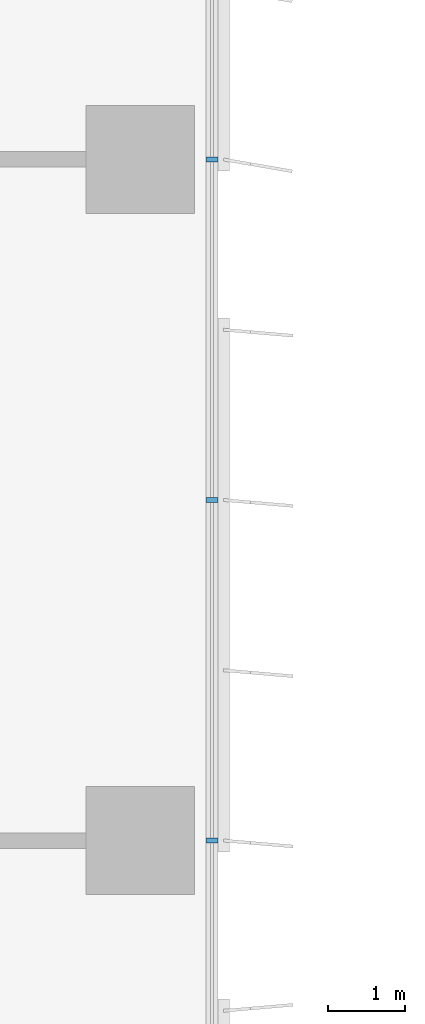
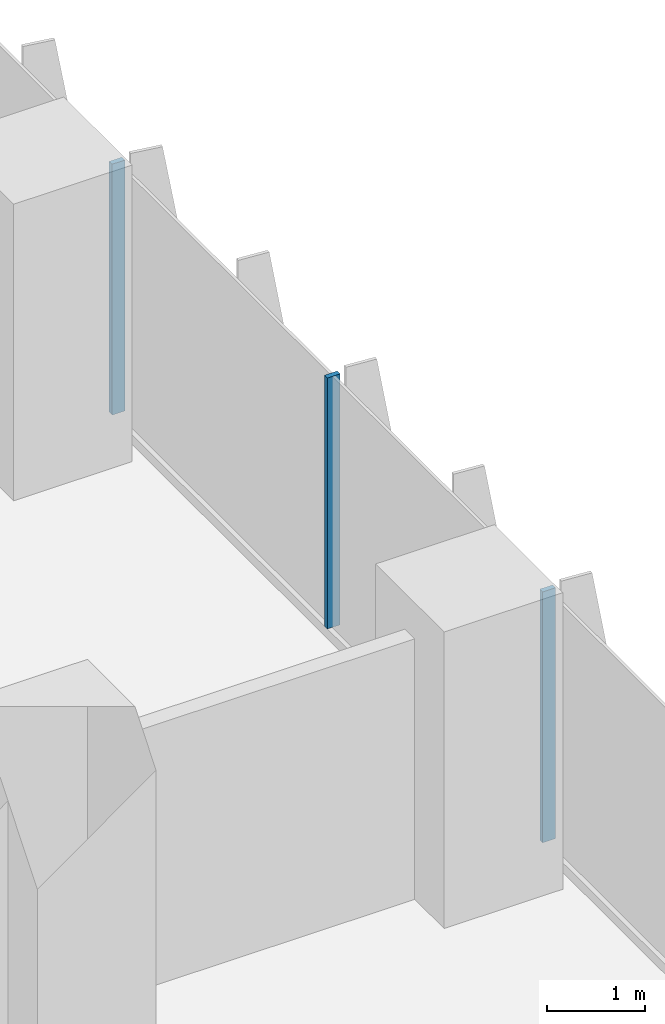
# One storey, part 7 of 24: 3 members, 1 element without a shape of its own.
"""IFC4 building model written with IfcOpenShell, lengths in metres."""

from ifc_helpers import new_model, si_unit, direction, frame, origin, origin_2d, place, context, subcontext, project, spatial, rectangle, extrude, source, transform, mapped, material, material_profile, profile_set, type_object, element, aggregate, save


model = new_model("IFC4")

# Units and contexts
model_context = context("Model", 3, precision=1e-05, world=origin(), true_north=direction((0.0, 1.0)))
body_context = subcontext(model_context, "Body", "Model", "MODEL_VIEW")
ifc_project = project(units=[si_unit("LENGTHUNIT", "METRE"), si_unit("AREAUNIT", "SQUARE_METRE"), si_unit("VOLUMEUNIT", "CUBIC_METRE"), si_unit("PLANEANGLEUNIT", "RADIAN"), si_unit("MASSUNIT", "GRAM", prefix="KILO")], contexts=[model_context])

# Site, building, storey
site_placement = place(None, origin())
site = spatial("IfcSite", under=ifc_project, at=site_placement, CompositionType="ELEMENT")
building_placement = place(site_placement, origin())
building = spatial("IfcBuilding", under=site, at=building_placement, Name="Kemantara Hotel Tower", CompositionType="ELEMENT")
storey_placement = place(building_placement, frame((0.0, 0.0, 79.699951171875)))
storey = spatial("IfcBuildingStorey", under=building, at=storey_placement, Name="L18", CompositionType="ELEMENT", Elevation=79.699951171875)

# Curtain wall, members
ifc_material_1 = material(Name="Low-E tinted double insulated glass 36 mm", Category="glass")
curtain_wall_type = type_object("IfcCurtainWallType", Name="TOWER CURTAIN WALL, FRONT FACES", PredefinedType="USERDEFINED", material=ifc_material_1)
curtain_wall_placement = place(storey_placement, origin())
curtain_wall = element("IfcCurtainWall", 1, at=curtain_wall_placement, inside=storey, type_object=curtain_wall_type, Name="CW4 L18 T1-R08-1", ObjectType="TOWER CURTAIN WALL, FRONT FACES", PredefinedType="USERDEFINED")
ifc_material_2 = material(Name="Aluminium 6063-T6 bronze anodised", Category="aluminium")
ifc_material_profile = material_profile(ifc_material_2, rectangle(XDim=0.14990234375, YDim=0.06005859375, at=origin_2d()), Name="TOWER CURTAIN WALL, FRONT FACES MULLION")
ifc_profile_set = profile_set([ifc_material_profile], Name="Aluminium 6063-T6 bronze anodised")
member_type = type_object("IfcMemberType", Name="TOWER CURTAIN WALL, FRONT FACES MULLION", PredefinedType="MULLION", material=ifc_profile_set)
shared_shape = source(origin(), body_context, "Body", "SweptSolid", [
    extrude(rectangle(XDim=0.14990234375, YDim=0.06005859375, at=origin_2d()), origin(), (0.0, 0.0, 1.0), 3.1298828125),
])
member_1_placement = place(storey_placement, frame((26.72509765625, 53.800048828125, 0.1201171875), z_axis=(0.0, 0.0, 1.0), x_axis=(-1.0, 0.0, 0.0)))
member_1 = element("IfcMember", 2, at=member_1_placement, type_object=member_type, Name="CW4 mullion T1-R08-1.8", PredefinedType="MULLION", context=body_context, shape_type="MappedRepresentation", body=[
    mapped(shared_shape, transform((0.0, 0.0, 0.0))),
])
member_2_placement = place(storey_placement, frame((26.72509765625, 58.199951171875, 0.1201171875), z_axis=(0.0, 0.0, 1.0), x_axis=(-1.0, 0.0, 0.0)))
member_2 = element("IfcMember", 3, at=member_2_placement, type_object=member_type, Name="CW4 mullion T1-R08-1.9", PredefinedType="MULLION", context=body_context, shape_type="MappedRepresentation", body=[
    mapped(shared_shape, transform((0.0, 0.0, 0.0))),
])
member_3_placement = place(storey_placement, frame((26.72509765625, 62.60009765625, 0.1201171875), z_axis=(0.0, 0.0, 1.0), x_axis=(-1.0, 0.0, 0.0)))
member_3 = element("IfcMember", 4, at=member_3_placement, type_object=member_type, Name="CW4 mullion T1-R08-1.10", PredefinedType="MULLION", context=body_context, shape_type="MappedRepresentation", body=[
    mapped(shared_shape, transform((0.0, 0.0, 0.0))),
])
aggregate(curtain_wall, [member_1, member_2, member_3])

save(model, "model.ifc")
